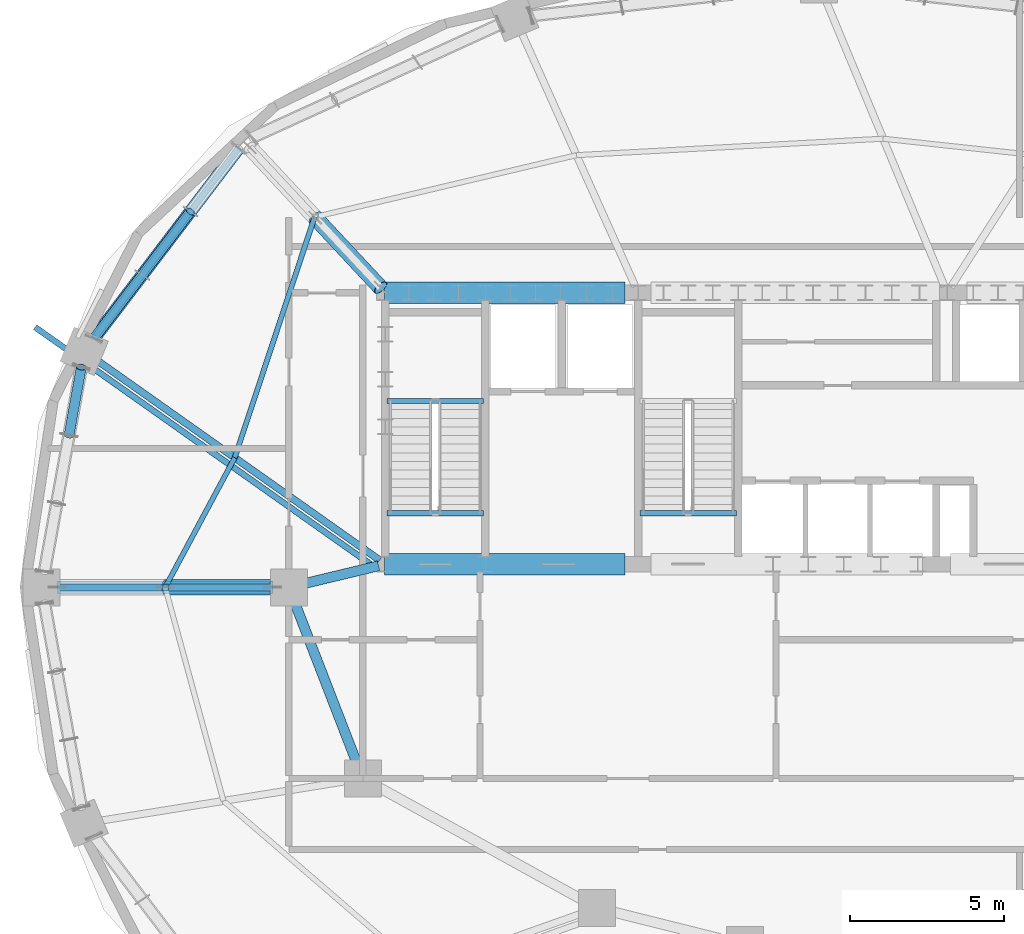
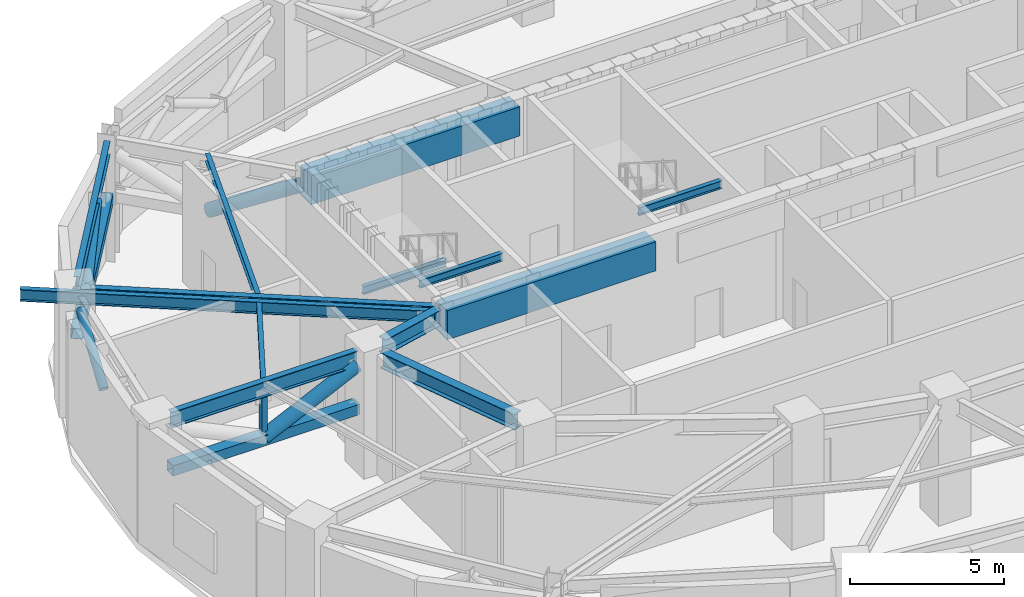
# One storey, part 2 of 17: 13 beams, 8 members.
"""IFC4 building model written with IfcOpenShell, lengths in metres."""

import ifcopenshell
import ifcopenshell.guid

model = None  # the IFC model being written
_history = None  # IfcOwnerHistory: only IFC2X3 demands one
_inside = {}  # id of a spatial element -> (the spatial element, [elements in it])
_under = {}  # id of a project, library or spatial element -> (it, [spatial elements below it])
_declared = {}  # id of a project -> (the project, [libraries it declares])
_typed = {}  # id of a type object -> (the type object, [elements of that type])
_made_of = {}  # id of a material, layer set ... -> (it, [elements and type objects made of it])


def new_model(schema):
    """Start an empty IFC model of exactly this schema.

    Asked for "IFC4X3", IfcOpenShell would pick the latest addendum, in which some entities
    have other attributes; the version numbers below select the first issue.
    IFC2X3 requires an IfcOwnerHistory on every rooted entity: one is made here for all.
    """
    global model, _history
    if schema == "IFC4X3":
        model = ifcopenshell.file(schema_version=(4, 3, 0, 0))
    else:
        model = ifcopenshell.file(schema=schema)
    _inside.clear()
    _under.clear()
    _declared.clear()
    _typed.clear()
    _made_of.clear()
    _history = None
    if model.schema == "IFC2X3":
        org = make("IfcOrganization", Name="unknown")
        user = make(
            "IfcPersonAndOrganization",
            ThePerson=make("IfcPerson", FamilyName="unknown"),
            TheOrganization=org,
        )
        app = make(
            "IfcApplication",
            ApplicationDeveloper=org,
            Version="unknown",
            ApplicationFullName="unknown",
            ApplicationIdentifier="unknown",
        )
        _history = make(
            "IfcOwnerHistory",
            OwningUser=user,
            OwningApplication=app,
            ChangeAction="ADDED",
            CreationDate=0,
        )
    return model


def make(cls, **values):
    """One entity of the class cls with the attributes given. An attribute that is None is left unset."""
    return model.create_entity(
        cls, **{name: value for name, value in values.items() if value is not None}
    )


def rooted(cls, **values):
    """An entity with a GlobalId (a new one), such as an element, a storey or a relation."""
    return make(cls, GlobalId=ifcopenshell.guid.new(), OwnerHistory=_history, **values)


def si_unit(unit_type, name, prefix=None):
    """IfcSIUnit, for example si_unit("LENGTHUNIT", "METRE", prefix="MILLI")."""
    return make("IfcSIUnit", UnitType=unit_type, Prefix=prefix, Name=name)


def assignment(units):
    """IfcUnitAssignment: the units of a project."""
    return None if units is None else make("IfcUnitAssignment", Units=units)


def point(xyz):
    """IfcCartesianPoint."""
    return None if xyz is None else make("IfcCartesianPoint", Coordinates=xyz)


def direction(xyz):
    """IfcDirection."""
    return None if xyz is None else make("IfcDirection", DirectionRatios=xyz)


def frame(location, z_axis=None, x_axis=None):
    """IfcAxis2Placement3D, a coordinate frame: its origin and axes. An axis left out is left unset."""
    return make(
        "IfcAxis2Placement3D",
        Location=point(location),
        Axis=direction(z_axis),
        RefDirection=direction(x_axis),
    )


def frame_2d(location, x_axis=None):
    """IfcAxis2Placement2D, a coordinate frame in the plane: its origin and x axis."""
    return make(
        "IfcAxis2Placement2D", Location=point(location), RefDirection=direction(x_axis)
    )


def origin():
    """The frame at (0, 0, 0) with its axes left unset."""
    return frame((0.0, 0.0, 0.0))


def origin_2d():
    """The frame at (0, 0) in the plane with its x axis left unset."""
    return frame_2d((0.0, 0.0))


def place(relative_to, where):
    """IfcLocalPlacement: puts the frame where relative to a parent placement (None: the world)."""
    return make(
        "IfcLocalPlacement", PlacementRelTo=relative_to, RelativePlacement=where
    )


def context(
    kind, dimensions, precision=None, world=None, true_north=None, identifier=None
):
    """IfcGeometricRepresentationContext, for example the 3D "Model" context."""
    return make(
        "IfcGeometricRepresentationContext",
        ContextIdentifier=identifier,
        ContextType=kind,
        CoordinateSpaceDimension=dimensions,
        Precision=precision,
        WorldCoordinateSystem=world,
        TrueNorth=true_north,
    )


def subcontext(parent, identifier, kind, view, scale=None):
    """IfcGeometricRepresentationSubContext, for example "Body" below "Model"."""
    return make(
        "IfcGeometricRepresentationSubContext",
        ContextIdentifier=identifier,
        ContextType=kind,
        ParentContext=parent,
        TargetScale=scale,
        TargetView=view,
    )


def project(units=None, contexts=None):
    """IfcProject with its units and contexts."""
    return rooted(
        "IfcProject",
        Name="project",
        RepresentationContexts=contexts,
        UnitsInContext=assignment(units),
    )


def spatial(cls, under=None, at=None, **own):
    """A site, building, storey or space (cls), placed at a placement, below another one or the project."""
    s = rooted(cls, ObjectPlacement=at, **own)
    if under is not None:
        _under.setdefault(under.id(), (under, []))[1].append(s)
    return s


def profile(cls, at=None, kind="AREA", **sizes):
    """A parametric profile (cls). Its sizes go by their IFC names, for example OverallWidth=200.0."""
    return make(cls, ProfileType=kind, Position=at, **sizes)


def rectangle(**sizes):
    """IfcRectangleProfileDef."""
    return profile("IfcRectangleProfileDef", **sizes)


def hollow_rectangle(**sizes):
    """IfcRectangleHollowProfileDef."""
    return profile("IfcRectangleHollowProfileDef", **sizes)


def hollow_circle(**sizes):
    """IfcCircleHollowProfileDef."""
    return profile("IfcCircleHollowProfileDef", **sizes)


def i_section(**sizes):
    """IfcIShapeProfileDef."""
    return profile("IfcIShapeProfileDef", **sizes)


def extrude(swept, where, along, depth):
    """IfcExtrudedAreaSolid: the profile swept, set in the frame where, extruded along a direction by depth."""
    return make(
        "IfcExtrudedAreaSolid",
        SweptArea=swept,
        Position=where,
        ExtrudedDirection=direction(along),
        Depth=depth,
    )


def shape(context_of_items, identifier, shape_type, items):
    """IfcShapeRepresentation: the items that make up one representation, for example the "Body"."""
    return make(
        "IfcShapeRepresentation",
        ContextOfItems=context_of_items,
        RepresentationIdentifier=identifier,
        RepresentationType=shape_type,
        Items=items,
    )


def material(Name=None, Category=None):
    """IfcMaterial."""
    return make("IfcMaterial", Name=Name, Category=Category)


def material_profile(
    of_material, cross_section, Name=None, Category=None, Priority=None
):
    """IfcMaterialProfile: a cross section and its material."""
    return make(
        "IfcMaterialProfile",
        Name=Name,
        Material=of_material,
        Profile=cross_section,
        Priority=Priority,
        Category=Category,
    )


def profile_set(profiles, Name=None, composite=None):
    """IfcMaterialProfileSet."""
    return make(
        "IfcMaterialProfileSet",
        Name=Name,
        MaterialProfiles=profiles,
        CompositeProfile=composite,
    )


def made_of(thing, what):
    """Note that an element or type object is made of a material, layer set ...; save() writes the relation."""
    if what is not None:
        _made_of.setdefault(what.id(), (what, []))[1].append(thing)
    return thing


def type_object(cls, material=None, **own):
    """A type object (cls), such as IfcWallType, which elements share."""
    return made_of(rooted(cls, **own), material)


def element(
    cls,
    number,
    at=None,
    inside=None,
    cuts=None,
    type_object=None,
    material=None,
    context=None,
    identifier="Body",
    shape_type=None,
    held_by="IfcProductDefinitionShape",
    body=None,
    shapes=None,
    **own,
):
    """One element of the class cls, such as IfcWall. Its Tag is "e" and its number.

    at: its placement. inside: the storey or other place that contains it. cuts: it is an
    opening in that element (IfcRelVoidsElement). A single representation is given by context,
    identifier, shape_type and body (its items); several are given by shapes. held_by: the class
    of the entity that holds the representations. save() writes the other relations.
    """
    e = rooted(cls, Tag="e%d" % number, ObjectPlacement=at, **own)
    if body is not None:
        shapes = [shape(context, identifier, shape_type, body)]
    if shapes is not None:
        e.Representation = make(held_by, Representations=shapes)
    if inside is not None:
        _inside.setdefault(inside.id(), (inside, []))[1].append(e)
    if cuts is not None:
        rooted(
            "IfcRelVoidsElement", RelatingBuildingElement=cuts, RelatedOpeningElement=e
        )
    if type_object is not None:
        _typed.setdefault(type_object.id(), (type_object, []))[1].append(e)
    return made_of(e, material)


def aggregate(whole, parts):
    """IfcRelAggregates: a whole, such as a stair, and the parts it consists of."""
    return rooted("IfcRelAggregates", RelatingObject=whole, RelatedObjects=parts)


def save(model, path):
    """Write the relations noted so far, then the file.

    IfcRelAggregates (storeys below a building ...), IfcRelContainedInSpatialStructure (elements
    in a storey), IfcRelDefinesByType, IfcRelAssociatesMaterial and IfcRelDeclares: one each for
    every whole, place, type object, material and project.
    """
    for whole, parts in _under.values():
        aggregate(whole, parts)
    for where, things in _inside.values():
        rooted(
            "IfcRelContainedInSpatialStructure",
            RelatedElements=things,
            RelatingStructure=where,
        )
    for kind, things in _typed.values():
        rooted("IfcRelDefinesByType", RelatedObjects=things, RelatingType=kind)
    for what, things in _made_of.values():
        rooted("IfcRelAssociatesMaterial", RelatedObjects=things, RelatingMaterial=what)
    for by, libraries in _declared.values():
        rooted("IfcRelDeclares", RelatingContext=by, RelatedDefinitions=libraries)
    model.write(path)


model = new_model("IFC4")

# Units and contexts
model_context = context("Model", 3, precision=1e-05, world=origin(), true_north=direction((0.0, 1.0)))
body_context = subcontext(model_context, "Body", "Model", "MODEL_VIEW")
ifc_project = project(units=[si_unit("LENGTHUNIT", "METRE"), si_unit("AREAUNIT", "SQUARE_METRE"), si_unit("VOLUMEUNIT", "CUBIC_METRE"), si_unit("PLANEANGLEUNIT", "RADIAN"), si_unit("MASSUNIT", "GRAM", prefix="KILO")], contexts=[model_context])

# Site, building, storey
site_placement = place(None, origin())
site = spatial("IfcSite", under=ifc_project, at=site_placement, CompositionType="ELEMENT")
building_placement = place(site_placement, origin())
building = spatial("IfcBuilding", under=site, at=building_placement, Name="Haldorwick Loom Tower", CompositionType="ELEMENT")
storey_placement = place(building_placement, frame((0.0, 0.0, 149.449951171875)))
storey = spatial("IfcBuildingStorey", under=building, at=storey_placement, Name="L40", CompositionType="ELEMENT", Elevation=149.449951171875)

# Beams
ifc_material_1 = material(Name="Steel CSA G40.21 350W", Category="steel")
ifc_material_profile_1 = material_profile(ifc_material_1, i_section(OverallWidth=0.193115234375, OverallDepth=0.466064453125, WebThickness=0.011474609375, FlangeThickness=0.01904296875, at=origin_2d()), Name="W460X97", Category="steel")
ifc_profile_set_1 = profile_set([ifc_material_profile_1], Name="Steel CSA G40.21 350W")
beam_type_1 = type_object("IfcBeamType", Name="STR-BM-BAL460", PredefinedType="BEAM", material=ifc_profile_set_1)
beam_1_placement = place(storey_placement, frame((21.584716796875, 26.651123046875, 4.527099609375), z_axis=(-0.816570288691, 0.577246016554, 0.0), x_axis=(-0.577246016554, -0.816570288691, 0.0)))
element("IfcBeam", 1, at=beam_1_placement, inside=storey, type_object=beam_type_1, Name="L40 Continuous Back-Spanned Balcony Beam 3", PredefinedType="BEAM", context=body_context, shape_type="SweptSolid", body=[
    extrude(i_section(OverallWidth=0.193115234375, OverallDepth=0.466064453125, WebThickness=0.011474609375, FlangeThickness=0.01904296875, at=origin_2d()), origin(), (0.0, 0.0, 1.0), 13.485107421875),
])
ifc_material_2 = material(Name="Concrete C60 (60 MPa)", Category="concrete")
ifc_material_profile_2 = material_profile(ifc_material_2, rectangle(XDim=0.699951171875, YDim=1.14990234375, at=origin_2d()), Name="RC700X1150", Category="concrete")
ifc_profile_set_2 = profile_set([ifc_material_profile_2], Name="Concrete C60 (60 MPa)")
beam_type_2 = type_object("IfcBeamType", Name="STR-BM-CB1150", PredefinedType="LINTEL", material=ifc_profile_set_2)
for number, where, z_axis, x_axis, name in (
    (2, (21.89990234375, 35.550048828125, 4.18505859375), (1.0, 0.0, 0.0), (0.0, 1.0, 0.0), "L40 Core Coupling Beam CB-N1"),
    (3, (21.89990234375, 26.75, 4.18505859375), (1.0, 0.0, 0.0), (0.0, 1.0, 0.0), "L40 Core Coupling Beam CB-S1"),
):
    element("IfcBeam", number, at=place(storey_placement, frame(where, z_axis=z_axis, x_axis=x_axis)), inside=storey, type_object=beam_type_2, Name=name, PredefinedType="LINTEL", context=body_context, shape_type="SweptSolid", body=[
        extrude(rectangle(XDim=0.699951171875, YDim=1.14990234375, at=origin_2d()), origin(), (0.0, 0.0, 1.0), 7.800048828125),
    ])
ifc_material_profile_3 = material_profile(ifc_material_1, i_section(OverallWidth=0.166015625, OverallDepth=0.31298828125, WebThickness=0.006591796875, FlangeThickness=0.01123046875, at=origin_2d()), Name="W310X45", Category="steel")
ifc_profile_set_3 = profile_set([ifc_material_profile_3], Name="Steel CSA G40.21 350W")
beam_type_3 = type_object("IfcBeamType", Name="STR-BM-J310", PredefinedType="JOIST", material=ifc_profile_set_3)
beam_2_placement = place(storey_placement, frame((19.63720703125, 38.007080078125, 4.603515625), z_axis=(-0.314980632705, -0.949098098734, 0.0), x_axis=(0.949098098734, -0.314980632705, 0.0)))
element("IfcBeam", 4, at=beam_2_placement, inside=storey, type_object=beam_type_3, Name="L40 Mid-Bay Secondary Joist 7", PredefinedType="JOIST", context=body_context, shape_type="SweptSolid", body=[
    extrude(i_section(OverallWidth=0.166015625, OverallDepth=0.31298828125, WebThickness=0.006591796875, FlangeThickness=0.01123046875, at=origin_2d()), origin(), (0.0, 0.0, 1.0), 8.223876953125),
])
beam_3_placement = place(storey_placement, frame((17.046875, 30.201904296875, 4.603515625), z_axis=(-0.472930162238, -0.881099915813, 0.0), x_axis=(0.881099915813, -0.472930162238, 0.0)))
element("IfcBeam", 5, at=beam_3_placement, inside=storey, type_object=beam_type_3, Name="L40 Mid-Bay Secondary Joist 8", PredefinedType="JOIST", context=body_context, shape_type="SweptSolid", body=[
    extrude(i_section(OverallWidth=0.166015625, OverallDepth=0.31298828125, WebThickness=0.006591796875, FlangeThickness=0.01123046875, at=origin_2d()), origin(), (0.0, 0.0, 1.0), 4.76904296875),
])
ifc_material_profile_4 = material_profile(ifc_material_1, i_section(OverallWidth=0.2119140625, OverallDepth=0.5439453125, WebThickness=0.01318359375, FlangeThickness=0.021240234375, at=origin_2d()), Name="W530X123", Category="steel")
ifc_profile_set_4 = profile_set([ifc_material_profile_4], Name="Steel CSA G40.21 350W")
beam_type_4 = type_object("IfcBeamType", Name="STR-BM-SP530", PredefinedType="SPANDREL", material=ifc_profile_set_4)
beam_4_placement = place(storey_placement, frame((17.177978515625, 40.245361328125, 4.488037109375), z_axis=(-0.605421356486, -0.795905133236, 0.0), x_axis=(0.795905133236, -0.605421356486, 0.0)))
element("IfcBeam", 6, at=beam_4_placement, inside=storey, type_object=beam_type_4, Name="L40 Perimeter Spandrel 7", PredefinedType="SPANDREL", context=body_context, shape_type="SweptSolid", body=[
    extrude(i_section(OverallWidth=0.2119140625, OverallDepth=0.5439453125, WebThickness=0.01318359375, FlangeThickness=0.021240234375, at=origin_2d()), origin(), (0.0, 0.0, 1.0), 7.761962890625),
])
ifc_material_profile_5 = material_profile(ifc_material_1, i_section(OverallWidth=0.166015625, OverallDepth=0.31298828125, WebThickness=0.006591796875, FlangeThickness=0.01123046875, at=origin_2d()), Name="W310X45", Category="steel")
ifc_profile_set_5 = profile_set([ifc_material_profile_5], Name="Steel CSA G40.21 350W")
beam_type_5 = type_object("IfcBeamType", Name="STR-BM-STRM", PredefinedType="BEAM", material=ifc_profile_set_5)
for number, where, z_axis, x_axis, name in (
    (7, (21.989990234375, 28.39990234375, 4.603515625), (1.0, 0.0, 0.0), (0.0, 1.0, 0.0), "L40 Stair ST-01 Landing Edge Trimmer"),
    (8, (21.989990234375, 32.0400390625, 2.1435546875), (1.0, 0.0, 0.0), (0.0, 1.0, 0.0), "L40 Stair ST-01 Half-Landing Trimmer 1"),
    (9, (30.18994140625, 28.39990234375, 4.603515625), (1.0, 0.0, 0.0), (0.0, 1.0, 0.0), "L40 Stair ST-03 Landing Edge Trimmer"),
):
    element("IfcBeam", number, at=place(storey_placement, frame(where, z_axis=z_axis, x_axis=x_axis)), inside=storey, type_object=beam_type_5, Name=name, PredefinedType="BEAM", context=body_context, shape_type="SweptSolid", body=[
        extrude(i_section(OverallWidth=0.166015625, OverallDepth=0.31298828125, WebThickness=0.006591796875, FlangeThickness=0.01123046875, at=origin_2d()), origin(), (0.0, 0.0, 1.0), 3.1201171875),
    ])
ifc_material_profile_6 = material_profile(ifc_material_1, i_section(OverallWidth=0.324951171875, OverallDepth=0.615966796875, WebThickness=0.013916015625, FlangeThickness=0.021484375, at=origin_2d()), Name="W610X174", Category="steel")
ifc_profile_set_6 = profile_set([ifc_material_profile_6], Name="Steel CSA G40.21 350W")
beam_type_6 = type_object("IfcBeamType", Name="STR-BM-W610A", PredefinedType="BEAM", material=ifc_profile_set_6)
beam_5_placement = place(storey_placement, frame((21.01220703125, 20.284912109375, 4.4521484375), z_axis=(-0.360964792353, 0.93257944363, 0.0), x_axis=(-0.93257944363, -0.360964792353, 0.0)))
element("IfcBeam", 10, at=beam_5_placement, inside=storey, type_object=beam_type_6, Name="L40 Inner Ring Girder 8", PredefinedType="BEAM", context=body_context, shape_type="SweptSolid", body=[
    extrude(i_section(OverallWidth=0.324951171875, OverallDepth=0.615966796875, WebThickness=0.013916015625, FlangeThickness=0.021484375, at=origin_2d()), origin(), (0.0, 0.0, 1.0), 5.6083984375),
])
beam_6_placement = place(storey_placement, frame((19.3056640625, 26.12109375, 4.4521484375), z_axis=(0.97247055837, 0.233025777764, 0.0), x_axis=(-0.233025777764, 0.97247055837, 0.0)))
element("IfcBeam", 11, at=beam_6_placement, inside=storey, type_object=beam_type_6, Name="L40 Inner Ring Girder 9", PredefinedType="BEAM", context=body_context, shape_type="SweptSolid", body=[
    extrude(i_section(OverallWidth=0.324951171875, OverallDepth=0.615966796875, WebThickness=0.013916015625, FlangeThickness=0.021484375, at=origin_2d()), origin(), (0.0, 0.0, 1.0), 2.4736328125),
])
ifc_material_profile_7 = material_profile(ifc_material_1, i_section(OverallWidth=0.22998046875, OverallDepth=0.616943359375, WebThickness=0.01318359375, FlangeThickness=0.022216796875, at=origin_2d()), Name="W610X140", Category="steel")
ifc_profile_set_7 = profile_set([ifc_material_profile_7], Name="Steel CSA G40.21 350W")
beam_type_7 = type_object("IfcBeamType", Name="STR-BM-W610B", PredefinedType="BEAM", material=ifc_profile_set_7)
beam_7_placement = place(storey_placement, frame((21.746337890625, 26.8798828125, 4.45166015625), z_axis=(-0.816581567299, 0.577230061542, 0.0), x_axis=(-0.577230061542, -0.816581567299, 0.0)))
element("IfcBeam", 12, at=beam_7_placement, inside=storey, type_object=beam_type_7, Name="L40 Radial Floor Girder 8", PredefinedType="BEAM", context=body_context, shape_type="SweptSolid", body=[
    extrude(i_section(OverallWidth=0.22998046875, OverallDepth=0.616943359375, WebThickness=0.01318359375, FlangeThickness=0.022216796875, at=origin_2d()), origin(), (0.0, 0.0, 1.0), 11.215087890625),
])
beam_8_placement = place(storey_placement, frame((18.280029296875, 26.0, 4.45166015625), z_axis=(-1.0, 0.0, 0.0), x_axis=(0.0, -1.0, 0.0)))
element("IfcBeam", 13, at=beam_8_placement, inside=storey, type_object=beam_type_7, Name="L40 Radial Floor Girder 9", PredefinedType="BEAM", context=body_context, shape_type="SweptSolid", body=[
    extrude(i_section(OverallWidth=0.22998046875, OverallDepth=0.616943359375, WebThickness=0.01318359375, FlangeThickness=0.022216796875, at=origin_2d()), origin(), (0.0, 0.0, 1.0), 6.97705078125),
])

# Members
ifc_material_profile_8 = material_profile(ifc_material_1, hollow_circle(Radius=0.161865234375, WallThickness=0.0126953125, at=origin_2d()), Name="HSS324X13", Category="steel")
ifc_profile_set_8 = profile_set([ifc_material_profile_8], Name="Steel CSA G40.21 350W")
member_type_1 = type_object("IfcMemberType", Name="STR-MEM-BR324C", PredefinedType="BRACE", material=ifc_profile_set_8)
member_1_placement = place(storey_placement, frame((15.611572265625, 38.18603515625, 4.216064453125), z_axis=(-0.504523015018, -0.663287349076, -0.552726351708), x_axis=(0.795916661695, -0.605406200526, 0.0)))
element("IfcMember", 14, at=member_1_placement, inside=storey, type_object=member_type_1, Name="L40 Perimeter Belt Truss Web Diagonal 7-2", PredefinedType="BRACE", context=body_context, shape_type="SweptSolid", body=[
    extrude(hollow_circle(Radius=0.161865234375, WallThickness=0.0126953125, at=origin_2d()), origin(), (0.0, 0.0, 1.0), 3.104736328125),
])
member_2_placement = place(storey_placement, frame((14.045166015625, 36.126708984375, 2.5), z_axis=(-0.504549330271, -0.663243306033, 0.552755181184), x_axis=(0.795882073718, -0.605451670023, 0.0)))
element("IfcMember", 15, at=member_2_placement, inside=storey, type_object=member_type_1, Name="L40 Perimeter Belt Truss Web Diagonal 7-3", PredefinedType="BRACE", context=body_context, shape_type="SweptSolid", body=[
    extrude(hollow_circle(Radius=0.161865234375, WallThickness=0.0126953125, at=origin_2d()), origin(), (0.0, 0.0, 1.0), 3.1044921875),
])
member_3_placement = place(storey_placement, frame((12.071533203125, 33.14208984375, 4.216064453125), z_axis=(-0.14105374678, -0.781971567423, -0.607144388315), x_axis=(0.984117679003, -0.177517305845, 0.0)))
element("IfcMember", 16, at=member_3_placement, inside=storey, type_object=member_type_1, Name="L40 Perimeter Belt Truss Web Diagonal 8-1", PredefinedType="BRACE", context=body_context, shape_type="SweptSolid", body=[
    extrude(hollow_circle(Radius=0.161865234375, WallThickness=0.0126953125, at=origin_2d()), origin(), (0.0, 0.0, 1.0), 2.826416015625),
])
ifc_material_profile_9 = material_profile(ifc_material_1, hollow_circle(Radius=0.25390625, WallThickness=0.015869140625, at=origin_2d()), Name="HSS508X16", Category="steel")
ifc_profile_set_9 = profile_set([ifc_material_profile_9], Name="Steel CSA G40.21 350W")
member_type_2 = type_object("IfcMemberType", Name="STR-MEM-BR508", PredefinedType="BRACE", material=ifc_profile_set_9)
member_4_placement = place(storey_placement, frame((21.776611328125, 35.714599609375, 4.14306640625), z_axis=(-0.603287374409, 0.646453686026, -0.467056715723), x_axis=(-0.731094416683, -0.682276303191, 0.0)))
element("IfcMember", 17, at=member_4_placement, inside=storey, type_object=member_type_2, Name="L40 Outrigger OT-NW Inner Diagonal", PredefinedType="BRACE", context=body_context, shape_type="SweptSolid", body=[
    extrude(hollow_circle(Radius=0.25390625, WallThickness=0.015869140625, at=origin_2d()), origin(), (0.0, 0.0, 1.0), 3.517822265625),
])
member_5_placement = place(storey_placement, frame((18.280029296875, 26.0, 4.14306640625), z_axis=(-0.904678037241, 0.0, -0.426095821305), x_axis=(0.0, -1.0, 0.0)))
element("IfcMember", 18, at=member_5_placement, inside=storey, type_object=member_type_2, Name="L40 Outrigger OT-W Inner Diagonal", PredefinedType="BRACE", context=body_context, shape_type="SweptSolid", body=[
    extrude(hollow_circle(Radius=0.25390625, WallThickness=0.015869140625, at=origin_2d()), origin(), (0.0, 0.0, 1.0), 3.856201171875),
])
ifc_material_profile_10 = material_profile(ifc_material_1, hollow_rectangle(XDim=0.406494140625, YDim=0.406494140625, WallThickness=0.015869140625, at=origin_2d()), Name="HSS406X406X16", Category="steel")
ifc_profile_set_10 = profile_set([ifc_material_profile_10], Name="Steel CSA G40.21 350W")
member_type_3 = type_object("IfcMemberType", Name="STR-MEM-CH406", PredefinedType="CHORD", material=ifc_profile_set_10)
member_6_placement = place(storey_placement, frame((17.177978515625, 40.245361328125, 2.5), z_axis=(-0.605421356486, -0.795905133236, 0.0), x_axis=(0.795905133236, -0.605421356486, 0.0)))
element("IfcMember", 19, at=member_6_placement, inside=storey, type_object=member_type_3, Name="L40 Perimeter Belt Truss Bottom Chord 7", PredefinedType="CHORD", context=body_context, shape_type="SweptSolid", body=[
    extrude(hollow_rectangle(XDim=0.406494140625, YDim=0.406494140625, WallThickness=0.015869140625, at=origin_2d()), origin(), (0.0, 0.0, 1.0), 7.761962890625),
])
member_7_placement = place(storey_placement, frame((18.280029296875, 26.0, 2.5), z_axis=(-1.0, 0.0, 0.0), x_axis=(0.0, -1.0, 0.0)))
element("IfcMember", 20, at=member_7_placement, inside=storey, type_object=member_type_3, Name="L40 Outrigger OT-W Bottom Chord", PredefinedType="CHORD", context=body_context, shape_type="SweptSolid", body=[
    extrude(hollow_rectangle(XDim=0.406494140625, YDim=0.406494140625, WallThickness=0.015869140625, at=origin_2d()), origin(), (0.0, 0.0, 1.0), 6.97705078125),
])
ifc_material_profile_11 = material_profile(ifc_material_1, hollow_rectangle(XDim=0.203125, YDim=0.203125, WallThickness=0.009521484375, at=origin_2d()), Name="HSS203X203X10", Category="steel")
ifc_profile_set_11 = profile_set([ifc_material_profile_11], Name="Steel CSA G40.21 350W")
member_type_4 = type_object("IfcMemberType", Name="STR-MEM-ST203", PredefinedType="STRUT", material=ifc_profile_set_11)
member_8_placement = place(storey_placement, frame((14.79150390625, 26.0, 2.5), z_axis=(0.0, 0.0, 1.0), x_axis=(1.0, 0.0, 0.0)))
element("IfcMember", 21, at=member_8_placement, inside=storey, type_object=member_type_4, Name="L40 Outrigger OT-W Mid Post", PredefinedType="STRUT", context=body_context, shape_type="SweptSolid", body=[
    extrude(hollow_rectangle(XDim=0.203125, YDim=0.203125, WallThickness=0.009521484375, at=origin_2d()), origin(), (0.0, 0.0, 1.0), 1.64306640625),
])

save(model, "model.ifc")
